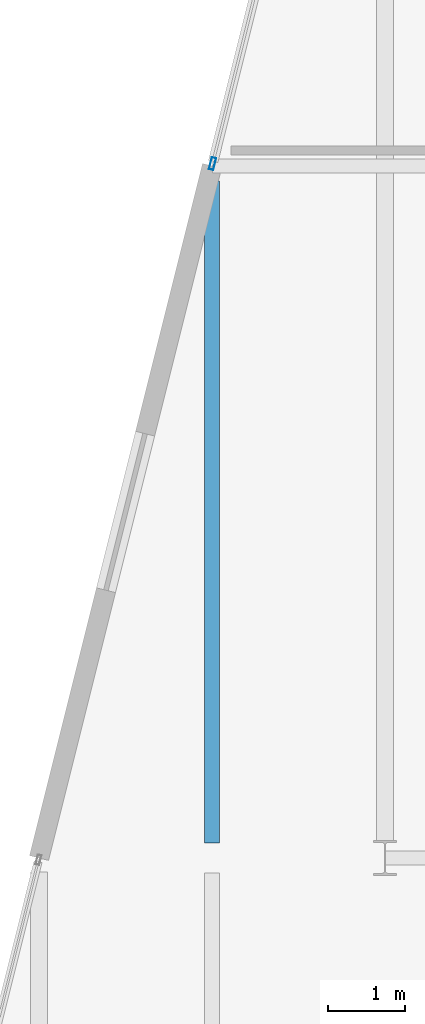
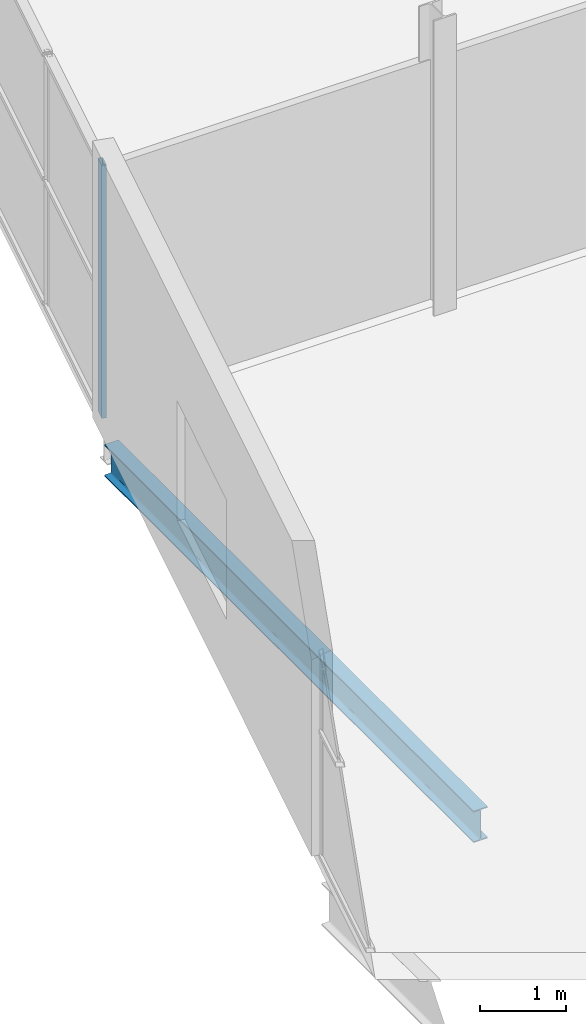
# One storey, part 60 of 132: 1 beam, 1 member, 1 element without a shape of its own.
"""IFC4 building model written with IfcOpenShell, lengths in metres."""

from ifc_helpers import new_model, si_unit, direction, frame, origin, origin_2d, place, context, subcontext, project, spatial, hollow_rectangle, i_section, extrude, material, layer, layer_set, material_profile, profile_set, type_object, element, aggregate, save


model = new_model("IFC4")

# Units and contexts
model_context = context("Model", 3, precision=1e-05, world=origin(), true_north=direction((0.0, 1.0)))
body_context = subcontext(model_context, "Body", "Model", "MODEL_VIEW")
ifc_project = project(units=[si_unit("LENGTHUNIT", "METRE"), si_unit("AREAUNIT", "SQUARE_METRE"), si_unit("VOLUMEUNIT", "CUBIC_METRE"), si_unit("PLANEANGLEUNIT", "RADIAN"), si_unit("MASSUNIT", "GRAM", prefix="KILO")], contexts=[model_context])

# Site, building, storey
site_placement = place(None, origin())
site = spatial("IfcSite", under=ifc_project, at=site_placement, CompositionType="ELEMENT")
building_placement = place(site_placement, origin())
building = spatial("IfcBuilding", under=site, at=building_placement, Name="Deido Ridge Mobility Hub", CompositionType="ELEMENT")
storey_placement = place(building_placement, frame((0.0, 0.0, 8.39990234375)))
storey = spatial("IfcBuildingStorey", under=building, at=storey_placement, Name="L02", CompositionType="ELEMENT", Elevation=8.39990234375)

# Beam
ifc_material_1 = material(Name="Steel S355J2 EN 10025-2", Category="steel")
ifc_material_profile_1 = material_profile(ifc_material_1, i_section(OverallWidth=0.18994140625, OverallDepth=0.449951171875, WebThickness=0.009521484375, FlangeThickness=0.0146484375, FilletRadius=0.02099609375, at=origin_2d()), Name="IPE 450")
ifc_profile_set_1 = profile_set([ifc_material_profile_1], Name="Steel S355J2 EN 10025-2")
beam_type = type_object("IfcBeamType", Name="BM-IPE450", PredefinedType="BEAM", material=ifc_profile_set_1)
beam_placement = place(storey_placement, frame((126.0, 27.196533203125, -0.47998046875), z_axis=(0.0, 1.0, 0.0), x_axis=(-1.0, 0.0, 0.0)))
element("IfcBeam", 1, at=beam_placement, inside=storey, type_object=beam_type, Name="Floor beam B4", PredefinedType="BEAM", context=body_context, shape_type="SweptSolid", body=[
    extrude(i_section(OverallWidth=0.18994140625, OverallDepth=0.449951171875, WebThickness=0.009521484375, FlangeThickness=0.0146484375, FilletRadius=0.02099609375, at=origin_2d()), origin(), (0.0, 0.0, 1.0), 8.60693359375),
])

# Curtain wall, member
ifc_material_2 = material(Name="Anodised aluminium EN AW-6063 T6", Category="aluminium")
ifc_layer = layer(ifc_material_2, 0.2099609375, Name="Anodised aluminium EN AW-6063 T6")
ifc_layer_set = layer_set([ifc_layer], Name="Anodised aluminium EN AW-6063 T6")
curtain_wall_type = type_object("IfcCurtainWallType", Name="CW-UF-4", PredefinedType="USERDEFINED", material=ifc_layer_set)
curtain_wall_placement = place(storey_placement, origin())
curtain_wall = element("IfcCurtainWall", 2, at=curtain_wall_placement, inside=storey, type_object=curtain_wall_type, Name="Unitised curtain wall CW4", ObjectType="UNITISED FACADE", PredefinedType="USERDEFINED")
ifc_material_profile_2 = material_profile(ifc_material_2, hollow_rectangle(XDim=0.06005859375, YDim=0.159912109375, WallThickness=0.00390625, at=origin_2d()), Name="RHS 60x160x4")
ifc_profile_set_2 = profile_set([ifc_material_profile_2], Name="Anodised aluminium EN AW-6063 T6")
member_type = type_object("IfcMemberType", Name="MEM-MUL-60X160", PredefinedType="MULLION", material=ifc_profile_set_2)
member_placement = place(storey_placement, frame((126.00732421875, 36.029052734375, 0.0), z_axis=(0.0, 0.0, 1.0), x_axis=(-0.970142500145, 0.242535625038, 0.0)))
member = element("IfcMember", 3, at=member_placement, type_object=member_type, Name="CW4 mullion 1", PredefinedType="MULLION", context=body_context, shape_type="SweptSolid", body=[
    extrude(hollow_rectangle(XDim=0.06005859375, YDim=0.159912109375, WallThickness=0.00390625, at=origin_2d()), origin(), (0.0, 0.0, 1.0), 3.60009765625),
])
aggregate(curtain_wall, [member])

save(model, "model.ifc")
